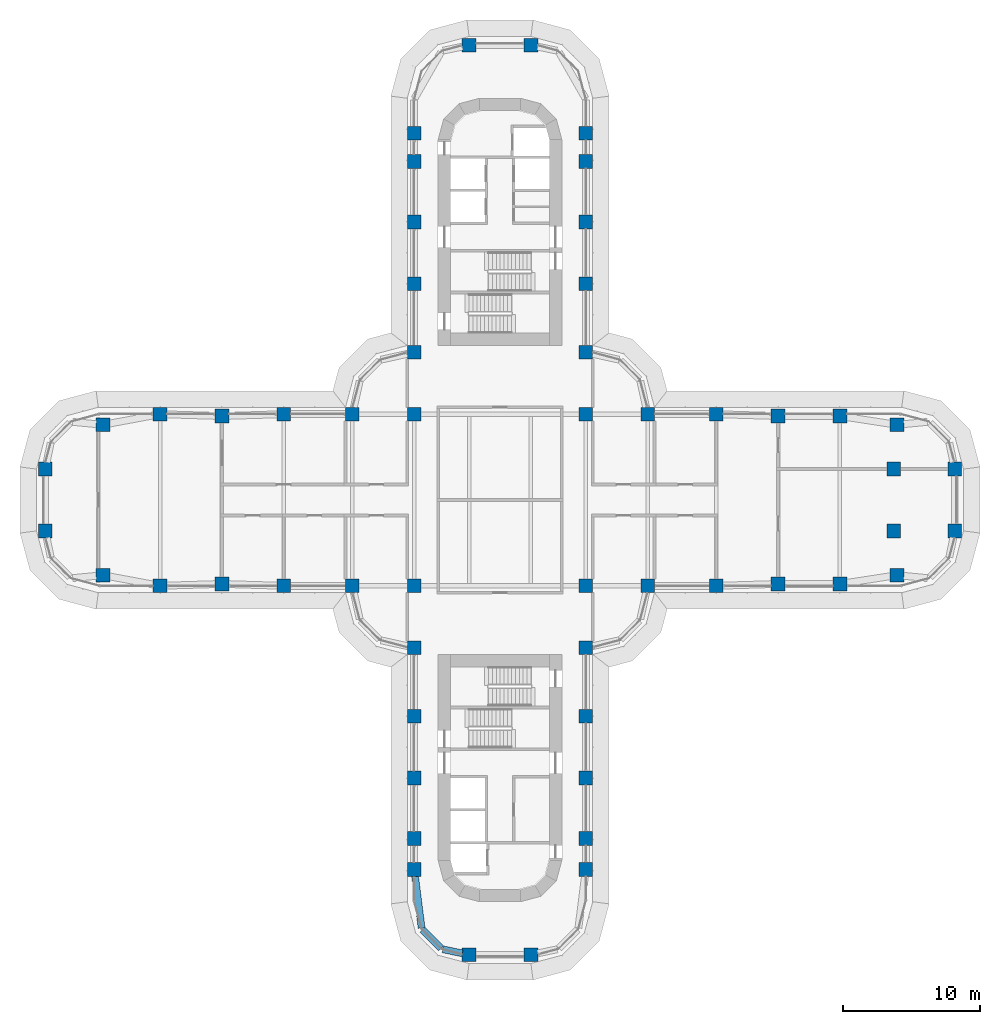
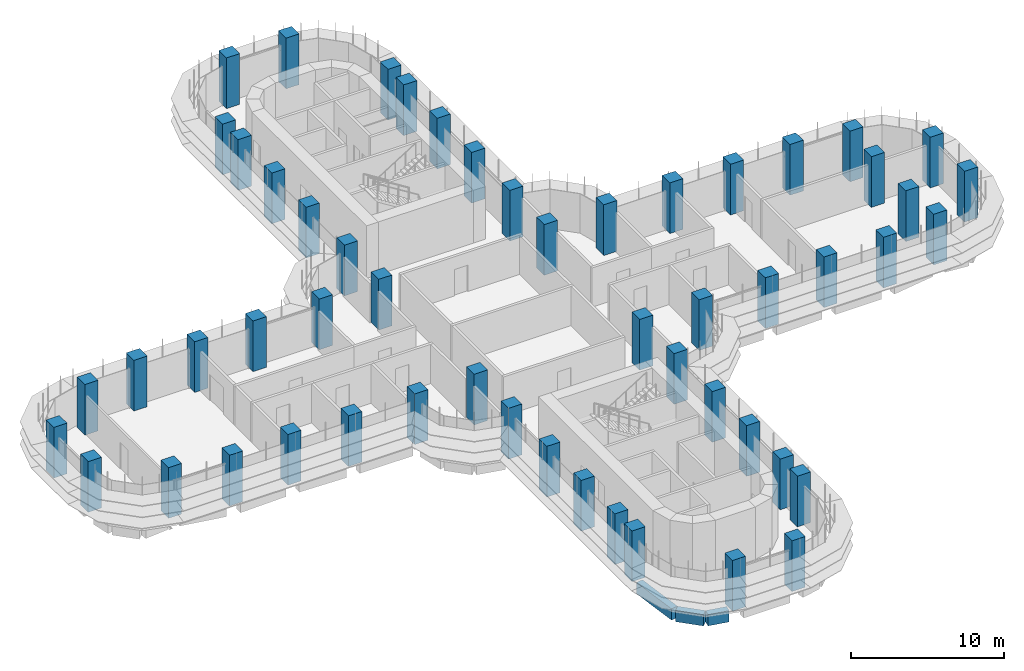
# One storey, part 1 of 23: 54 columns, 3 beams.
"""IFC4 building model written with IfcOpenShell, lengths in metres."""

from ifc_helpers import new_model, si_unit, direction, frame, origin, origin_2d, place, context, subcontext, project, spatial, rectangle, extrude, material, material_profile, profile_set, type_object, element, save


model = new_model("IFC4")

# Units and contexts
model_context = context("Model", 3, precision=1e-05, world=origin(), true_north=direction((0.0, 1.0)))
body_context = subcontext(model_context, "Body", "Model", "MODEL_VIEW")
ifc_project = project(units=[si_unit("LENGTHUNIT", "METRE"), si_unit("AREAUNIT", "SQUARE_METRE"), si_unit("VOLUMEUNIT", "CUBIC_METRE"), si_unit("PLANEANGLEUNIT", "RADIAN"), si_unit("MASSUNIT", "GRAM", prefix="KILO")], contexts=[model_context])

# Site, building, storey
site_placement = place(None, origin())
site = spatial("IfcSite", under=ifc_project, at=site_placement, CompositionType="ELEMENT")
building_placement = place(site_placement, origin())
building = spatial("IfcBuilding", under=site, at=building_placement, Name="Zarbagh Exchange Tower", CompositionType="ELEMENT")
storey_placement = place(building_placement, frame((0.0, 0.0, 43.800048828125)))
storey = spatial("IfcBuildingStorey", under=building, at=storey_placement, Name="L09", CompositionType="ELEMENT", Elevation=43.800048828125)

# Columns
ifc_material = material(Name="Concrete C60/75", Category="concrete")
ifc_material_profile_1 = material_profile(ifc_material, rectangle(XDim=1.0, YDim=1.0, at=origin_2d()), Name="RC column 1000 x 1000 C60/75")
ifc_profile_set_1 = profile_set([ifc_material_profile_1], Name="Concrete C60/75")
column_type = type_object("IfcColumnType", Name="RC column 1000 x 1000 C60/75", PredefinedType="COLUMN", material=ifc_profile_set_1)
for number, where, z_axis, x_axis, name in (
    (1, (-33.110107421875, -2.25, 0.0), (0.0, 0.0, 1.0), (1.0, 0.0, 0.0), "C2 10/S"),
    (2, (-33.110107421875, 2.25, 0.0), (0.0, 0.0, 1.0), (1.0, 0.0, 0.0), "C2 10/T"),
    (3, (-28.907958984375, -5.47509765625, 0.0), (0.0, 0.0, 1.0), (1.0, 0.0, 0.0), "C2 11/R"),
    (4, (-28.907958984375, 5.47509765625, 0.0), (0.0, 0.0, 1.0), (1.0, 0.0, 0.0), "C2 11/U"),
    (5, (-24.75, -6.25, 0.0), (0.0, 0.0, 1.0), (1.0, 0.0, 0.0), "C2 12/R"),
    (6, (-24.75, 6.25, 0.0), (0.0, 0.0, 1.0), (1.0, 0.0, 0.0), "C2 12/U"),
    (7, (-20.25, -6.110107421875, 0.0), (0.0, 0.0, 1.0), (1.0, 0.0, 0.0), "C2 13/R"),
    (8, (-20.25, 6.110107421875, 0.0), (0.0, 0.0, 1.0), (1.0, 0.0, 0.0), "C2 13/U"),
    (9, (-15.75, -6.25, 0.0), (0.0, 0.0, 1.0), (1.0, 0.0, 0.0), "C2 14/R"),
    (10, (-15.75, 6.25, 0.0), (0.0, 0.0, 1.0), (1.0, 0.0, 0.0), "C2 14/U"),
    (11, (-10.75, -6.25, 0.0), (0.0, 0.0, 1.0), (1.0, 0.0, 0.0), "C2 15/R"),
    (12, (-10.75, 6.25, 0.0), (0.0, 0.0, 1.0), (1.0, 0.0, 0.0), "C2 15/U"),
    (13, (-6.25, -26.89990234375, 0.0), (0.0, 0.0, 1.0), (1.0, 0.0, 0.0), "C2 16/L"),
    (14, (-6.25, -24.64990234375, 0.0), (0.0, 0.0, 1.0), (1.0, 0.0, 0.0), "C2 16/M"),
    (15, (-6.25, -20.25, 0.0), (0.0, 0.0, 1.0), (1.0, 0.0, 0.0), "C2 16/N"),
    (16, (-6.25, -15.75, 0.0), (0.0, 0.0, 1.0), (1.0, 0.0, 0.0), "C2 16/P"),
    (17, (-6.25, -10.75, 0.0), (0.0, 0.0, 1.0), (1.0, 0.0, 0.0), "C2 16/Q"),
    (18, (-6.25, -6.25, 0.0), (0.0, 0.0, 1.0), (1.0, 0.0, 0.0), "C2 16/R"),
    (19, (-6.25, 6.25, 0.0), (0.0, 0.0, 1.0), (1.0, 0.0, 0.0), "C2 16/U"),
    (20, (-6.25, 10.75, 0.0), (0.0, 0.0, 1.0), (1.0, 0.0, 0.0), "C2 16/V"),
    (21, (-6.25, 15.75, 0.0), (0.0, 0.0, 1.0), (1.0, 0.0, 0.0), "C2 16/W"),
    (22, (-6.25, 20.25, 0.0), (0.0, 0.0, 1.0), (1.0, 0.0, 0.0), "C2 16/X"),
    (23, (-6.25, 24.64990234375, 0.0), (0.0, 0.0, 1.0), (1.0, 0.0, 0.0), "C2 16/Y"),
    (24, (-6.25, 26.699951171875, 0.0), (0.0, 0.0, 1.0), (1.0, 0.0, 0.0), "C2 16/Z"),
    (25, (-2.25, -33.110107421875, 0.0), (0.0, 0.0, 1.0), (1.0, 0.0, 0.0), "C2 17/K"),
    (26, (-2.25, 33.110107421875, 0.0), (0.0, 0.0, 1.0), (1.0, 0.0, 0.0), "C2 17/AA"),
    (27, (2.25, -33.110107421875, 0.0), (0.0, 0.0, 1.0), (1.0, 0.0, 0.0), "C2 18/K"),
    (28, (2.25, 33.110107421875, 0.0), (0.0, 0.0, 1.0), (1.0, 0.0, 0.0), "C2 18/AA"),
    (29, (6.25, -26.89990234375, 0.0), (0.0, 0.0, 1.0), (1.0, 0.0, 0.0), "C2 19/L"),
    (30, (6.25, -24.64990234375, 0.0), (0.0, 0.0, 1.0), (1.0, 0.0, 0.0), "C2 19/M"),
    (31, (6.25, -20.25, 0.0), (0.0, 0.0, 1.0), (1.0, 0.0, 0.0), "C2 19/N"),
    (32, (6.25, -15.75, 0.0), (0.0, 0.0, 1.0), (1.0, 0.0, 0.0), "C2 19/P"),
    (33, (6.25, -10.75, 0.0), (0.0, 0.0, 1.0), (1.0, 0.0, 0.0), "C2 19/Q"),
    (34, (6.25, -6.25, 0.0), (0.0, 0.0, 1.0), (1.0, 0.0, 0.0), "C2 19/R"),
    (35, (6.25, 6.25, 0.0), (0.0, 0.0, 1.0), (1.0, 0.0, 0.0), "C2 19/U"),
    (36, (6.25, 10.75, 0.0), (0.0, 0.0, 1.0), (1.0, 0.0, 0.0), "C2 19/V"),
    (37, (6.25, 15.75, 0.0), (0.0, 0.0, 1.0), (1.0, 0.0, 0.0), "C2 19/W"),
    (38, (6.25, 20.25, 0.0), (0.0, 0.0, 1.0), (1.0, 0.0, 0.0), "C2 19/X"),
    (39, (6.25, 24.64990234375, 0.0), (0.0, 0.0, 1.0), (1.0, 0.0, 0.0), "C2 19/Y"),
    (40, (6.25, 26.699951171875, 0.0), (0.0, 0.0, 1.0), (1.0, 0.0, 0.0), "C2 19/Z"),
    (41, (10.75, -6.25, 0.0), (0.0, 0.0, 1.0), (1.0, 0.0, 0.0), "C2 20/R"),
    (42, (10.75, 6.25, 0.0), (0.0, 0.0, 1.0), (1.0, 0.0, 0.0), "C2 20/U"),
    (43, (15.75, -6.25, 0.0), (0.0, 0.0, 1.0), (1.0, 0.0, 0.0), "C2 21/R"),
    (44, (15.75, 6.25, 0.0), (0.0, 0.0, 1.0), (1.0, 0.0, 0.0), "C2 21/U"),
    (45, (20.25, -6.110107421875, 0.0), (0.0, 0.0, 1.0), (1.0, 0.0, 0.0), "C2 22/R"),
    (46, (20.25, 6.110107421875, 0.0), (0.0, 0.0, 1.0), (1.0, 0.0, 0.0), "C2 22/U"),
    (47, (24.75, -6.110107421875, 0.0), (0.0, 0.0, 1.0), (1.0, 0.0, 0.0), "C2 23/R"),
    (48, (24.75, 6.110107421875, 0.0), (0.0, 0.0, 1.0), (1.0, 0.0, 0.0), "C2 23/U"),
    (49, (28.907958984375, -5.47509765625, 0.0), (0.0, 0.0, 1.0), (1.0, 0.0, 0.0), "C2 24/R"),
    (50, (28.669921875, -2.25, 0.0), (0.0, 0.0, 1.0), (1.0, 0.0, 0.0), "C2 24/S"),
    (51, (28.669921875, 2.25, 0.0), (0.0, 0.0, 1.0), (1.0, 0.0, 0.0), "C2 24/T"),
    (52, (28.907958984375, 5.47509765625, 0.0), (0.0, 0.0, 1.0), (1.0, 0.0, 0.0), "C2 24/U"),
    (53, (33.110107421875, -2.25, 0.0), (0.0, 0.0, 1.0), (1.0, 0.0, 0.0), "C2 25/S"),
    (54, (33.110107421875, 2.25, 0.0), (0.0, 0.0, 1.0), (1.0, 0.0, 0.0), "C2 25/T"),
):
    element("IfcColumn", number, at=place(storey_placement, frame(where, z_axis=z_axis, x_axis=x_axis)), inside=storey, type_object=column_type, Name=name, PredefinedType="COLUMN", context=body_context, shape_type="SweptSolid", body=[
        extrude(rectangle(XDim=1.0, YDim=1.0, at=origin_2d()), origin(), (0.0, 0.0, 1.0), 4.050048828125),
    ])

# Beams
ifc_material_profile_2 = material_profile(ifc_material, rectangle(XDim=0.5, YDim=0.89990234375, at=origin_2d()), Name="RC spandrel beam 500 x 900 C60/75")
ifc_profile_set_2 = profile_set([ifc_material_profile_2], Name="Concrete C60/75")
beam_type = type_object("IfcBeamType", Name="RC spandrel beam 500 x 900 C60/75", PredefinedType="SPANDREL", material=ifc_profile_set_2)
beam_1_placement = place(storey_placement, frame((-2.73974609375, -33.0087890625, -0.60009765625), z_axis=(-0.9793713725, 0.202068589164, 0.0), x_axis=(-0.202068589164, -0.9793713725, 0.0)))
element("IfcBeam", 55, at=beam_1_placement, inside=storey, type_object=beam_type, Name="RC spandrel beam", PredefinedType="SPANDREL", context=body_context, shape_type="SweptSolid", body=[
    extrude(rectangle(XDim=0.5, YDim=0.89990234375, at=origin_2d()), origin(), (0.0, 0.0, 1.0), 1.458251953125),
])
beam_2_placement = place(storey_placement, frame((-4.294189453125, -32.64599609375, -0.60009765625), z_axis=(-0.707042571718, 0.707170984825, 0.0), x_axis=(-0.707170984825, -0.707042571718, 0.0)))
element("IfcBeam", 56, at=beam_2_placement, inside=storey, type_object=beam_type, Name="RC spandrel beam", PredefinedType="SPANDREL", context=body_context, shape_type="SweptSolid", body=[
    extrude(rectangle(XDim=0.5, YDim=0.89990234375, at=origin_2d()), origin(), (0.0, 0.0, 1.0), 1.901123046875),
])
beam_3_placement = place(storey_placement, frame((-5.709716796875, -31.156494140625, -0.60009765625), z_axis=(-0.12591317752, 0.992041265133, 0.0), x_axis=(-0.992041265133, -0.12591317752, 0.0)))
element("IfcBeam", 57, at=beam_3_placement, inside=storey, type_object=beam_type, Name="RC spandrel beam", PredefinedType="SPANDREL", context=body_context, shape_type="SweptSolid", body=[
    extrude(rectangle(XDim=0.5, YDim=0.89990234375, at=origin_2d()), origin(), (0.0, 0.0, 1.0), 3.790771484375),
])

save(model, "model.ifc")
